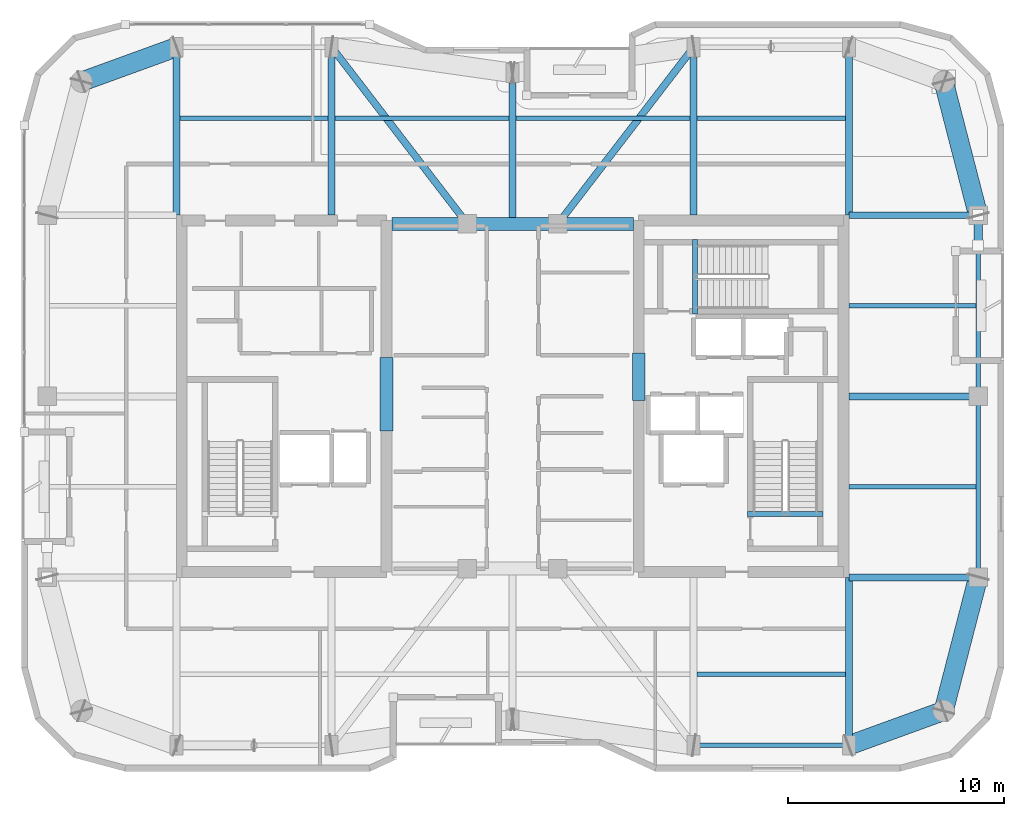
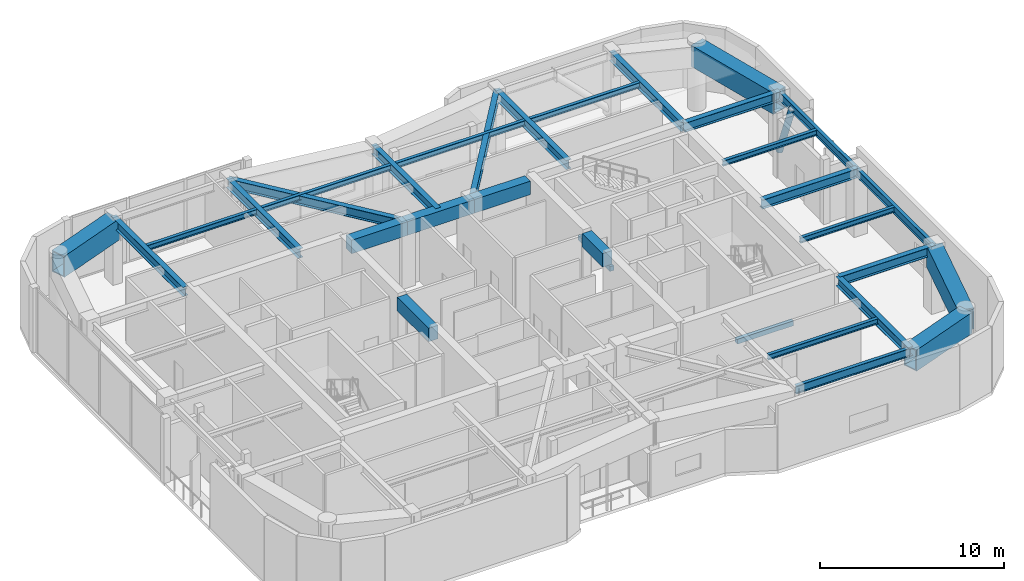
# One storey, part 5 of 16: 32 beams, 1 member.
"""IFC4 building model written with IfcOpenShell, lengths in metres."""

from ifc_helpers import new_model, si_unit, direction, frame, origin, origin_2d, place, context, subcontext, project, spatial, rectangle, hollow_rectangle, hollow_circle, i_section, extrude, material, material_profile, profile_set, type_object, element, save


model = new_model("IFC4")

# Units and contexts
model_context = context("Model", 3, precision=1e-05, world=origin(), true_north=direction((0.0, 1.0)))
body_context = subcontext(model_context, "Body", "Model", "MODEL_VIEW")
ifc_project = project(units=[si_unit("LENGTHUNIT", "METRE"), si_unit("AREAUNIT", "SQUARE_METRE"), si_unit("VOLUMEUNIT", "CUBIC_METRE"), si_unit("PLANEANGLEUNIT", "RADIAN"), si_unit("MASSUNIT", "GRAM", prefix="KILO")], contexts=[model_context])

# Site, building, storey
site_placement = place(None, origin())
site = spatial("IfcSite", under=ifc_project, at=site_placement, CompositionType="ELEMENT")
building_placement = place(site_placement, origin())
building = spatial("IfcBuilding", under=site, at=building_placement, Name="Kiyonajd Concourse Tower", CompositionType="ELEMENT")
storey_placement = place(building_placement, frame((0.0, 0.0, 337.5)))
storey = spatial("IfcBuildingStorey", under=building, at=storey_placement, Name="L85", CompositionType="ELEMENT", Elevation=337.5)

# Beams
ifc_material_1 = material(Name="Concrete C60/75", Category="concrete")
ifc_material_profile_1 = material_profile(ifc_material_1, rectangle(XDim=0.60009765625, YDim=0.89990234375, at=origin_2d()), Name="RCBM-600x900")
ifc_profile_set_1 = profile_set([ifc_material_profile_1], Name="Concrete C60/75")
beam_type_1 = type_object("IfcBeamType", Name="BM-COUP-900", PredefinedType="LINTEL", material=ifc_profile_set_1)
beam_1_placement = place(storey_placement, frame((42.39990234375, 44.0, 3.830078125), z_axis=(1.0, 0.0, 0.0), x_axis=(0.0, 1.0, 0.0)))
element("IfcBeam", 1, at=beam_1_placement, inside=storey, type_object=beam_type_1, Name="L85 Core Coupling Beam N1", PredefinedType="LINTEL", context=body_context, shape_type="SweptSolid", body=[
    extrude(rectangle(XDim=0.60009765625, YDim=0.89990234375, at=origin_2d()), origin(), (0.0, 0.0, 1.0), 3.5),
])
beam_2_placement = place(storey_placement, frame((45.89990234375, 44.0, 3.830078125), z_axis=(1.0, 0.0, 0.0), x_axis=(0.0, 1.0, 0.0)))
element("IfcBeam", 2, at=beam_2_placement, inside=storey, type_object=beam_type_1, Name="L85 Core Coupling Beam N2", PredefinedType="LINTEL", context=body_context, shape_type="SweptSolid", body=[
    extrude(rectangle(XDim=0.60009765625, YDim=0.89990234375, at=origin_2d()), origin(), (0.0, 0.0, 1.0), 4.2001953125),
])
beam_3_placement = place(storey_placement, frame((50.10009765625, 44.0, 3.830078125), z_axis=(1.0, 0.0, 0.0), x_axis=(0.0, 1.0, 0.0)))
element("IfcBeam", 3, at=beam_3_placement, inside=storey, type_object=beam_type_1, Name="L85 Core Coupling Beam N3", PredefinedType="LINTEL", context=body_context, shape_type="SweptSolid", body=[
    extrude(rectangle(XDim=0.60009765625, YDim=0.89990234375, at=origin_2d()), origin(), (0.0, 0.0, 1.0), 3.5),
])
beam_4_placement = place(storey_placement, frame((42.14990234375, 34.39990234375, 3.830078125), z_axis=(0.0, 1.0, 0.0), x_axis=(-1.0, 0.0, 0.0)))
element("IfcBeam", 4, at=beam_4_placement, inside=storey, type_object=beam_type_1, Name="L85 West Core Throat Coupling Lintel", PredefinedType="LINTEL", context=body_context, shape_type="SweptSolid", body=[
    extrude(rectangle(XDim=0.60009765625, YDim=0.89990234375, at=origin_2d()), origin(), (0.0, 0.0, 1.0), 3.400146484375),
])
beam_5_placement = place(storey_placement, frame((53.85009765625, 35.800048828125, 3.830078125), z_axis=(0.0, 1.0, 0.0), x_axis=(-1.0, 0.0, 0.0)))
element("IfcBeam", 5, at=beam_5_placement, inside=storey, type_object=beam_type_1, Name="L85 East Core Throat Coupling Lintel", PredefinedType="LINTEL", context=body_context, shape_type="SweptSolid", body=[
    extrude(rectangle(XDim=0.60009765625, YDim=0.89990234375, at=origin_2d()), origin(), (0.0, 0.0, 1.0), 2.199951171875),
])
ifc_material_2 = material(Name="Steel ASTM A992 Grade 50", Category="steel")
ifc_material_profile_2 = material_profile(ifc_material_2, i_section(OverallWidth=0.205078125, OverallDepth=0.35400390625, WebThickness=0.009521484375, FlangeThickness=0.016845703125, at=origin_2d()), Name="W360X79")
ifc_profile_set_2 = profile_set([ifc_material_profile_2], Name="Steel ASTM A992 Grade 50")
beam_type_2 = type_object("IfcBeamType", Name="BM-JST-360", PredefinedType="JOIST", material=ifc_profile_set_2)
for number, where, z_axis, x_axis, name in (
    (6, (56.56201171875, 23.10009765625, 4.10302734375), (1.0, 0.0, 0.0), (0.0, 1.0, 0.0), "L85 Secondary Floor Joist"),
    (7, (32.56201171875, 48.89990234375, 4.10302734375), (1.0, 0.0, 0.0), (0.0, 1.0, 0.0), "L85 Secondary Floor Joist"),
):
    element("IfcBeam", number, at=place(storey_placement, frame(where, z_axis=z_axis, x_axis=x_axis)), inside=storey, type_object=beam_type_2, Name=name, PredefinedType="JOIST", context=body_context, shape_type="SweptSolid", body=[
        extrude(i_section(OverallWidth=0.205078125, OverallDepth=0.35400390625, WebThickness=0.009521484375, FlangeThickness=0.016845703125, at=origin_2d()), origin(), (0.0, 0.0, 1.0), 6.8759765625),
    ])
for number, where, z_axis, x_axis, name in (
    (8, (39.761962890625, 48.89990234375, 4.10302734375), (1.0, 0.0, 0.0), (0.0, 1.0, 0.0), "L85 Secondary Floor Joist"),
    (9, (48.162109375, 48.89990234375, 4.10302734375), (1.0, 0.0, 0.0), (0.0, 1.0, 0.0), "L85 Secondary Floor Joist"),
):
    element("IfcBeam", number, at=place(storey_placement, frame(where, z_axis=z_axis, x_axis=x_axis)), inside=storey, type_object=beam_type_2, Name=name, PredefinedType="JOIST", context=body_context, shape_type="SweptSolid", body=[
        extrude(i_section(OverallWidth=0.205078125, OverallDepth=0.35400390625, WebThickness=0.009521484375, FlangeThickness=0.016845703125, at=origin_2d()), origin(), (0.0, 0.0, 1.0), 8.075927734375),
    ])
beam_6_placement = place(storey_placement, frame((56.56201171875, 48.89990234375, 4.10302734375), z_axis=(1.0, 0.0, 0.0), x_axis=(0.0, 1.0, 0.0)))
element("IfcBeam", 10, at=beam_6_placement, inside=storey, type_object=beam_type_2, Name="L85 Secondary Floor Joist", PredefinedType="JOIST", context=body_context, shape_type="SweptSolid", body=[
    extrude(i_section(OverallWidth=0.205078125, OverallDepth=0.35400390625, WebThickness=0.009521484375, FlangeThickness=0.016845703125, at=origin_2d()), origin(), (0.0, 0.0, 1.0), 6.8759765625),
])
for number, where, z_axis, x_axis, name in (
    (11, (63.60009765625, 31.800048828125, 4.10302734375), (1.0, 0.0, 0.0), (0.0, 1.0, 0.0), "L85 East Secondary Floor Joist"),
    (12, (63.60009765625, 40.199951171875, 4.10302734375), (1.0, 0.0, 0.0), (0.0, 1.0, 0.0), "L85 East Secondary Floor Joist"),
):
    element("IfcBeam", number, at=place(storey_placement, frame(where, z_axis=z_axis, x_axis=x_axis)), inside=storey, type_object=beam_type_2, Name=name, PredefinedType="JOIST", context=body_context, shape_type="SweptSolid", body=[
        extrude(i_section(OverallWidth=0.205078125, OverallDepth=0.35400390625, WebThickness=0.009521484375, FlangeThickness=0.016845703125, at=origin_2d()), origin(), (0.0, 0.0, 1.0), 5.894287109375),
    ])
ifc_material_3 = material(Name="Concrete C50/60", Category="concrete")
ifc_material_profile_3 = material_profile(ifc_material_3, rectangle(XDim=0.239990234375, YDim=0.320068359375, at=origin_2d()), Name="RCBM-240x320")
ifc_profile_set_3 = profile_set([ifc_material_profile_3], Name="Concrete C50/60")
beam_type_3 = type_object("IfcBeamType", Name="BM-LNT-250", PredefinedType="LINTEL", material=ifc_profile_set_3)
beam_7_placement = place(storey_placement, frame((58.889892578125, 30.530029296875, -0.159912109375), z_axis=(1.0, 0.0, 0.0), x_axis=(0.0, 1.0, 0.0)))
element("IfcBeam", 13, at=beam_7_placement, inside=storey, type_object=beam_type_3, Name="L85 Stair ST2 Threshold Support Beam", PredefinedType="LINTEL", context=body_context, shape_type="SweptSolid", body=[
    extrude(rectangle(XDim=0.239990234375, YDim=0.320068359375, at=origin_2d()), origin(), (0.0, 0.0, 1.0), 3.52001953125),
])
beam_8_placement = place(storey_placement, frame((56.4599609375, 39.820068359375, -0.159912109375), z_axis=(0.0, 1.0, 0.0), x_axis=(-1.0, 0.0, 0.0)))
element("IfcBeam", 14, at=beam_8_placement, inside=storey, type_object=beam_type_3, Name="L85 Stair ST3 Threshold Support Beam", PredefinedType="LINTEL", context=body_context, shape_type="SweptSolid", body=[
    extrude(rectangle(XDim=0.239990234375, YDim=0.320068359375, at=origin_2d()), origin(), (0.0, 0.0, 1.0), 3.4599609375),
])
ifc_material_profile_4 = material_profile(ifc_material_2, i_section(OverallWidth=0.2109375, OverallDepth=0.5390625, WebThickness=0.01171875, FlangeThickness=0.018798828125, at=origin_2d()), Name="W530X109")
ifc_profile_set_4 = profile_set([ifc_material_profile_4], Name="Steel ASTM A992 Grade 50")
beam_type_4 = type_object("IfcBeamType", Name="BM-SPAN-530B", PredefinedType="SPANDREL", material=ifc_profile_set_4)
beam_9_placement = place(storey_placement, frame((56.39990234375, 19.800048828125, 4.010498046875), z_axis=(1.0, 0.0, 0.0), x_axis=(0.0, 1.0, 0.0)))
element("IfcBeam", 15, at=beam_9_placement, inside=storey, type_object=beam_type_4, Name="L85 Perimeter Bundled Tube Spandrel", PredefinedType="SPANDREL", context=body_context, shape_type="SweptSolid", body=[
    extrude(i_section(OverallWidth=0.2109375, OverallDepth=0.5390625, WebThickness=0.01171875, FlangeThickness=0.018798828125, at=origin_2d()), origin(), (0.0, 0.0, 1.0), 7.2001953125),
])
for number, where, z_axis, x_axis, name in (
    (16, (69.60009765625, 27.60009765625, 4.010498046875), (0.0, 1.0, 0.0), (-1.0, 0.0, 0.0), "L85 Perimeter Bundled Tube Spandrel"),
    (17, (69.60009765625, 36.0, 4.010498046875), (0.0, 1.0, 0.0), (-1.0, 0.0, 0.0), "L85 Perimeter Bundled Tube Spandrel"),
):
    element("IfcBeam", number, at=place(storey_placement, frame(where, z_axis=z_axis, x_axis=x_axis)), inside=storey, type_object=beam_type_4, Name=name, PredefinedType="SPANDREL", context=body_context, shape_type="SweptSolid", body=[
        extrude(i_section(OverallWidth=0.2109375, OverallDepth=0.5390625, WebThickness=0.01171875, FlangeThickness=0.018798828125, at=origin_2d()), origin(), (0.0, 0.0, 1.0), 8.39990234375),
    ])
ifc_material_profile_5 = material_profile(ifc_material_2, i_section(OverallWidth=0.326904296875, OverallDepth=0.6220703125, WebThickness=0.015380859375, FlangeThickness=0.0244140625, at=origin_2d()), Name="W610X195")
ifc_profile_set_5 = profile_set([ifc_material_profile_5], Name="Steel ASTM A992 Grade 50")
beam_type_5 = type_object("IfcBeamType", Name="BM-TWR-610A", PredefinedType="BEAM", material=ifc_profile_set_5)
for number, where, z_axis, x_axis, name in (
    (18, (39.60009765625, 52.199951171875, 3.968994140625), (0.609233709922, -0.792990722956, 0.0), (0.792990722956, 0.609233709922, 0.0), "L85 Core Tie Girder"),
    (19, (50.10009765625, 44.0, 3.968994140625), (0.609233709922, 0.792990722956, 0.0), (-0.792990722956, 0.609233709922, 0.0), "L85 Core Tie Girder"),
):
    element("IfcBeam", number, at=place(storey_placement, frame(where, z_axis=z_axis, x_axis=x_axis)), inside=storey, type_object=beam_type_5, Name=name, PredefinedType="BEAM", context=body_context, shape_type="SweptSolid", body=[
        extrude(i_section(OverallWidth=0.326904296875, OverallDepth=0.6220703125, WebThickness=0.015380859375, FlangeThickness=0.0244140625, at=origin_2d()), origin(), (0.0, 0.0, 1.0), 10.340576171875),
    ])
ifc_material_profile_6 = material_profile(ifc_material_2, i_section(OverallWidth=0.323974609375, OverallDepth=0.611083984375, WebThickness=0.0126953125, FlangeThickness=0.01904296875, at=origin_2d()), Name="W610X155")
ifc_profile_set_6 = profile_set([ifc_material_profile_6], Name="Steel ASTM A992 Grade 50")
beam_type_6 = type_object("IfcBeamType", Name="BM-TWR-610B", PredefinedType="BEAM", material=ifc_profile_set_6)
for number, where, z_axis, x_axis, name in (
    (20, (32.39990234375, 44.39990234375, 3.974609375), (0.0, 1.0, 0.0), (-1.0, 0.0, 0.0), "L85 North Lease Girder"),
    (21, (39.60009765625, 44.39990234375, 3.974609375), (0.0, 1.0, 0.0), (-1.0, 0.0, 0.0), "L85 North Lease Girder"),
    (22, (56.39990234375, 44.39990234375, 3.974609375), (0.0, 1.0, 0.0), (-1.0, 0.0, 0.0), "L85 North Lease Girder"),
    (23, (63.60009765625, 19.800048828125, 3.974609375), (0.0, 1.0, 0.0), (-1.0, 0.0, 0.0), "L85 South Lease Girder"),
    (24, (63.60009765625, 44.39990234375, 3.974609375), (0.0, 1.0, 0.0), (-1.0, 0.0, 0.0), "L85 North Lease Girder"),
):
    element("IfcBeam", number, at=place(storey_placement, frame(where, z_axis=z_axis, x_axis=x_axis)), inside=storey, type_object=beam_type_6, Name=name, PredefinedType="BEAM", context=body_context, shape_type="SweptSolid", body=[
        extrude(i_section(OverallWidth=0.323974609375, OverallDepth=0.611083984375, WebThickness=0.0126953125, FlangeThickness=0.01904296875, at=origin_2d()), origin(), (0.0, 0.0, 1.0), 7.800048828125),
    ])
beam_10_placement = place(storey_placement, frame((48.0, 44.0, 3.974609375), z_axis=(0.0, 1.0, 0.0), x_axis=(-1.0, 0.0, 0.0)))
element("IfcBeam", 25, at=beam_10_placement, inside=storey, type_object=beam_type_6, Name="L85 North Ribbon Girder", PredefinedType="BEAM", context=body_context, shape_type="SweptSolid", body=[
    extrude(i_section(OverallWidth=0.323974609375, OverallDepth=0.611083984375, WebThickness=0.0126953125, FlangeThickness=0.01904296875, at=origin_2d()), origin(), (0.0, 0.0, 1.0), 7.0),
])
for number, where, z_axis, x_axis, name in (
    (26, (63.60009765625, 27.60009765625, 3.974609375), (1.0, 0.0, 0.0), (0.0, 1.0, 0.0), "L85 East Lease Girder"),
    (27, (63.60009765625, 36.0, 3.974609375), (1.0, 0.0, 0.0), (0.0, 1.0, 0.0), "L85 East Lease Girder"),
    (28, (63.60009765625, 44.39990234375, 3.974609375), (1.0, 0.0, 0.0), (0.0, 1.0, 0.0), "L85 East Lease Girder"),
):
    element("IfcBeam", number, at=place(storey_placement, frame(where, z_axis=z_axis, x_axis=x_axis)), inside=storey, type_object=beam_type_6, Name=name, PredefinedType="BEAM", context=body_context, shape_type="SweptSolid", body=[
        extrude(i_section(OverallWidth=0.323974609375, OverallDepth=0.611083984375, WebThickness=0.0126953125, FlangeThickness=0.01904296875, at=origin_2d()), origin(), (0.0, 0.0, 1.0), 6.0),
    ])
ifc_material_4 = material(Name="Steel ASTM A572 Grade 50", Category="steel")
ifc_material_profile_7 = material_profile(ifc_material_4, hollow_rectangle(XDim=0.89990234375, YDim=1.39990234375, WallThickness=0.070068359375, at=origin_2d()), Name="BOX-1400x900x70")
ifc_profile_set_7 = profile_set([ifc_material_profile_7], Name="Steel ASTM A572 Grade 50")
beam_type_7 = type_object("IfcBeamType", Name="BM-XFER-1400", PredefinedType="BEAM", material=ifc_profile_set_7)
beam_11_placement = place(storey_placement, frame((63.60009765625, 19.800048828125, 3.580078125), z_axis=(0.939801036019, 0.341722127901, 0.0), x_axis=(-0.341722127901, 0.939801036019, 0.0)))
element("IfcBeam", 29, at=beam_11_placement, inside=storey, type_object=beam_type_7, Name="L85 Perimeter Bundled Tube Spandrel", PredefinedType="BEAM", context=body_context, shape_type="SweptSolid", body=[
    extrude(hollow_rectangle(XDim=0.89990234375, YDim=1.39990234375, WallThickness=0.070068359375, at=origin_2d()), origin(), (0.0, 0.0, 1.0), 4.681640625),
])
for number, where, z_axis, x_axis, name in (
    (30, (68.0, 21.39990234375, 3.580078125), (0.249884937687, 0.968275538221, 0.0), (-0.968275538221, 0.249884937687, 0.0), "L85 Perimeter Bundled Tube Spandrel"),
    (31, (69.60009765625, 44.39990234375, 3.580078125), (-0.249884937687, 0.968275538221, 0.0), (-0.968275538221, -0.249884937687, 0.0), "L85 Perimeter Bundled Tube Spandrel"),
):
    element("IfcBeam", number, at=place(storey_placement, frame(where, z_axis=z_axis, x_axis=x_axis)), inside=storey, type_object=beam_type_7, Name=name, PredefinedType="BEAM", context=body_context, shape_type="SweptSolid", body=[
        extrude(hollow_rectangle(XDim=0.89990234375, YDim=1.39990234375, WallThickness=0.070068359375, at=origin_2d()), origin(), (0.0, 0.0, 1.0), 6.4033203125),
    ])
beam_12_placement = place(storey_placement, frame((32.39990234375, 52.199951171875, 3.580078125), z_axis=(-0.939801036019, -0.341722127901, 0.0), x_axis=(0.341722127901, -0.939801036019, 0.0)))
element("IfcBeam", 32, at=beam_12_placement, inside=storey, type_object=beam_type_7, Name="L85 Perimeter Bundled Tube Spandrel", PredefinedType="BEAM", context=body_context, shape_type="SweptSolid", body=[
    extrude(hollow_rectangle(XDim=0.89990234375, YDim=1.39990234375, WallThickness=0.070068359375, at=origin_2d()), origin(), (0.0, 0.0, 1.0), 4.681640625),
])

# Member
ifc_material_5 = material(Name="Steel ASTM A500 Grade C", Category="steel")
ifc_material_profile_8 = material_profile(ifc_material_5, hollow_circle(Radius=0.202880859375, WallThickness=0.01904296875, at=origin_2d()), Name="CHS-406x19")
ifc_profile_set_8 = profile_set([ifc_material_profile_8], Name="Steel ASTM A500 Grade C")
member_type = type_object("IfcMemberType", Name="MB-PB-HIGH", PredefinedType="BRACE", material=ifc_profile_set_8)
member_placement = place(storey_placement, frame((69.60009765625, 44.39990234375, 0.300048828125), z_axis=(0.0, -0.359828366716, 0.933018513486), x_axis=(1.0, 0.0, 0.0)))
element("IfcMember", 33, at=member_placement, inside=storey, type_object=member_type, Name="L85 Upper Zone Hollow Tube Brace PBE", PredefinedType="BRACE", context=body_context, shape_type="SweptSolid", body=[
    extrude(hollow_circle(Radius=0.202880859375, WallThickness=0.01904296875, at=origin_2d()), origin(), (0.0, 0.0, 1.0), 3.890380859375),
])

save(model, "model.ifc")
